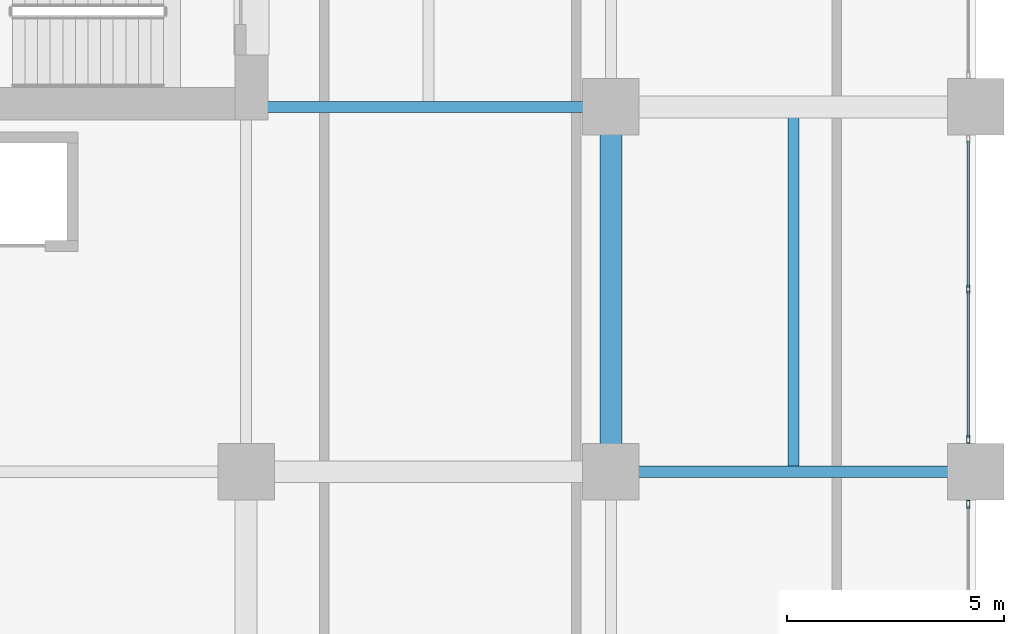
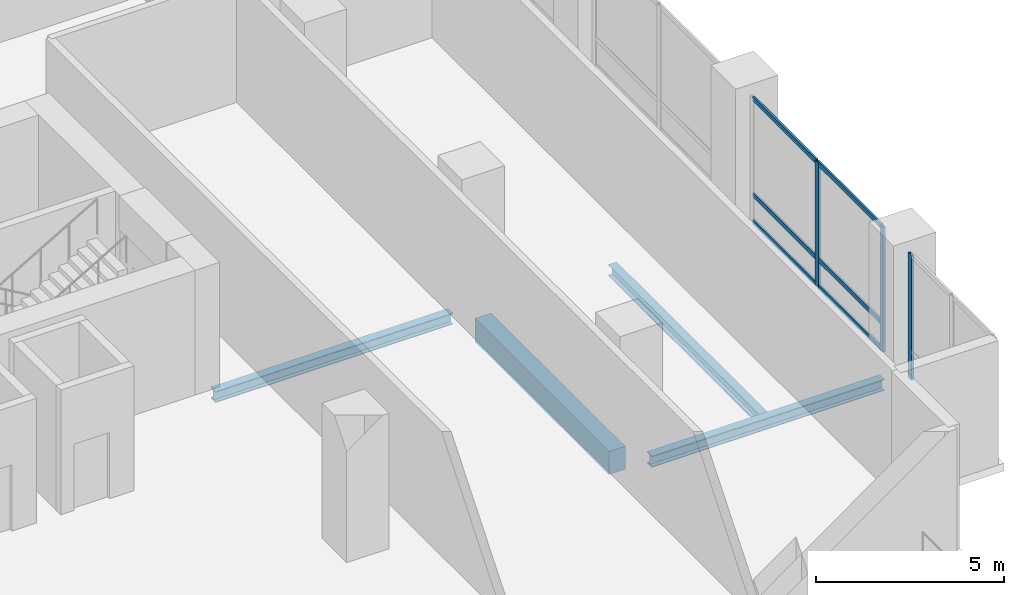
# One storey, part 4 of 24: 9 members, 4 beams, 2 elements without a shape of their own.
"""IFC4 building model written with IfcOpenShell, lengths in metres."""

import ifcopenshell
import ifcopenshell.guid

model = None  # the IFC model being written
_history = None  # IfcOwnerHistory: only IFC2X3 demands one
_inside = {}  # id of a spatial element -> (the spatial element, [elements in it])
_under = {}  # id of a project, library or spatial element -> (it, [spatial elements below it])
_declared = {}  # id of a project -> (the project, [libraries it declares])
_typed = {}  # id of a type object -> (the type object, [elements of that type])
_made_of = {}  # id of a material, layer set ... -> (it, [elements and type objects made of it])


def new_model(schema):
    """Start an empty IFC model of exactly this schema.

    Asked for "IFC4X3", IfcOpenShell would pick the latest addendum, in which some entities
    have other attributes; the version numbers below select the first issue.
    IFC2X3 requires an IfcOwnerHistory on every rooted entity: one is made here for all.
    """
    global model, _history
    if schema == "IFC4X3":
        model = ifcopenshell.file(schema_version=(4, 3, 0, 0))
    else:
        model = ifcopenshell.file(schema=schema)
    _inside.clear()
    _under.clear()
    _declared.clear()
    _typed.clear()
    _made_of.clear()
    _history = None
    if model.schema == "IFC2X3":
        org = make("IfcOrganization", Name="unknown")
        user = make(
            "IfcPersonAndOrganization",
            ThePerson=make("IfcPerson", FamilyName="unknown"),
            TheOrganization=org,
        )
        app = make(
            "IfcApplication",
            ApplicationDeveloper=org,
            Version="unknown",
            ApplicationFullName="unknown",
            ApplicationIdentifier="unknown",
        )
        _history = make(
            "IfcOwnerHistory",
            OwningUser=user,
            OwningApplication=app,
            ChangeAction="ADDED",
            CreationDate=0,
        )
    return model


def make(cls, **values):
    """One entity of the class cls with the attributes given. An attribute that is None is left unset."""
    return model.create_entity(
        cls, **{name: value for name, value in values.items() if value is not None}
    )


def rooted(cls, **values):
    """An entity with a GlobalId (a new one), such as an element, a storey or a relation."""
    return make(cls, GlobalId=ifcopenshell.guid.new(), OwnerHistory=_history, **values)


def si_unit(unit_type, name, prefix=None):
    """IfcSIUnit, for example si_unit("LENGTHUNIT", "METRE", prefix="MILLI")."""
    return make("IfcSIUnit", UnitType=unit_type, Prefix=prefix, Name=name)


def assignment(units):
    """IfcUnitAssignment: the units of a project."""
    return None if units is None else make("IfcUnitAssignment", Units=units)


def point(xyz):
    """IfcCartesianPoint."""
    return None if xyz is None else make("IfcCartesianPoint", Coordinates=xyz)


def direction(xyz):
    """IfcDirection."""
    return None if xyz is None else make("IfcDirection", DirectionRatios=xyz)


def frame(location, z_axis=None, x_axis=None):
    """IfcAxis2Placement3D, a coordinate frame: its origin and axes. An axis left out is left unset."""
    return make(
        "IfcAxis2Placement3D",
        Location=point(location),
        Axis=direction(z_axis),
        RefDirection=direction(x_axis),
    )


def frame_2d(location, x_axis=None):
    """IfcAxis2Placement2D, a coordinate frame in the plane: its origin and x axis."""
    return make(
        "IfcAxis2Placement2D", Location=point(location), RefDirection=direction(x_axis)
    )


def origin():
    """The frame at (0, 0, 0) with its axes left unset."""
    return frame((0.0, 0.0, 0.0))


def origin_2d():
    """The frame at (0, 0) in the plane with its x axis left unset."""
    return frame_2d((0.0, 0.0))


def place(relative_to, where):
    """IfcLocalPlacement: puts the frame where relative to a parent placement (None: the world)."""
    return make(
        "IfcLocalPlacement", PlacementRelTo=relative_to, RelativePlacement=where
    )


def context(
    kind, dimensions, precision=None, world=None, true_north=None, identifier=None
):
    """IfcGeometricRepresentationContext, for example the 3D "Model" context."""
    return make(
        "IfcGeometricRepresentationContext",
        ContextIdentifier=identifier,
        ContextType=kind,
        CoordinateSpaceDimension=dimensions,
        Precision=precision,
        WorldCoordinateSystem=world,
        TrueNorth=true_north,
    )


def subcontext(parent, identifier, kind, view, scale=None):
    """IfcGeometricRepresentationSubContext, for example "Body" below "Model"."""
    return make(
        "IfcGeometricRepresentationSubContext",
        ContextIdentifier=identifier,
        ContextType=kind,
        ParentContext=parent,
        TargetScale=scale,
        TargetView=view,
    )


def project(units=None, contexts=None):
    """IfcProject with its units and contexts."""
    return rooted(
        "IfcProject",
        Name="project",
        RepresentationContexts=contexts,
        UnitsInContext=assignment(units),
    )


def spatial(cls, under=None, at=None, **own):
    """A site, building, storey or space (cls), placed at a placement, below another one or the project."""
    s = rooted(cls, ObjectPlacement=at, **own)
    if under is not None:
        _under.setdefault(under.id(), (under, []))[1].append(s)
    return s


def profile(cls, at=None, kind="AREA", **sizes):
    """A parametric profile (cls). Its sizes go by their IFC names, for example OverallWidth=200.0."""
    return make(cls, ProfileType=kind, Position=at, **sizes)


def rectangle(**sizes):
    """IfcRectangleProfileDef."""
    return profile("IfcRectangleProfileDef", **sizes)


def hollow_rectangle(**sizes):
    """IfcRectangleHollowProfileDef."""
    return profile("IfcRectangleHollowProfileDef", **sizes)


def i_section(**sizes):
    """IfcIShapeProfileDef."""
    return profile("IfcIShapeProfileDef", **sizes)


def extrude(swept, where, along, depth):
    """IfcExtrudedAreaSolid: the profile swept, set in the frame where, extruded along a direction by depth."""
    return make(
        "IfcExtrudedAreaSolid",
        SweptArea=swept,
        Position=where,
        ExtrudedDirection=direction(along),
        Depth=depth,
    )


def shape(context_of_items, identifier, shape_type, items):
    """IfcShapeRepresentation: the items that make up one representation, for example the "Body"."""
    return make(
        "IfcShapeRepresentation",
        ContextOfItems=context_of_items,
        RepresentationIdentifier=identifier,
        RepresentationType=shape_type,
        Items=items,
    )


def material(Name=None, Category=None):
    """IfcMaterial."""
    return make("IfcMaterial", Name=Name, Category=Category)


def layer(
    of_material, thickness, ventilated=None, Name=None, Category=None, Priority=None
):
    """IfcMaterialLayer: one layer of a wall or slab, of a material (None: an air gap)."""
    return make(
        "IfcMaterialLayer",
        Material=of_material,
        LayerThickness=thickness,
        IsVentilated=ventilated,
        Name=Name,
        Category=Category,
        Priority=Priority,
    )


def layer_set(layers, Name=None):
    """IfcMaterialLayerSet."""
    return make("IfcMaterialLayerSet", MaterialLayers=layers, LayerSetName=Name)


def material_profile(
    of_material, cross_section, Name=None, Category=None, Priority=None
):
    """IfcMaterialProfile: a cross section and its material."""
    return make(
        "IfcMaterialProfile",
        Name=Name,
        Material=of_material,
        Profile=cross_section,
        Priority=Priority,
        Category=Category,
    )


def profile_set(profiles, Name=None, composite=None):
    """IfcMaterialProfileSet."""
    return make(
        "IfcMaterialProfileSet",
        Name=Name,
        MaterialProfiles=profiles,
        CompositeProfile=composite,
    )


def made_of(thing, what):
    """Note that an element or type object is made of a material, layer set ...; save() writes the relation."""
    if what is not None:
        _made_of.setdefault(what.id(), (what, []))[1].append(thing)
    return thing


def type_object(cls, material=None, **own):
    """A type object (cls), such as IfcWallType, which elements share."""
    return made_of(rooted(cls, **own), material)


def element(
    cls,
    number,
    at=None,
    inside=None,
    cuts=None,
    type_object=None,
    material=None,
    context=None,
    identifier="Body",
    shape_type=None,
    held_by="IfcProductDefinitionShape",
    body=None,
    shapes=None,
    **own,
):
    """One element of the class cls, such as IfcWall. Its Tag is "e" and its number.

    at: its placement. inside: the storey or other place that contains it. cuts: it is an
    opening in that element (IfcRelVoidsElement). A single representation is given by context,
    identifier, shape_type and body (its items); several are given by shapes. held_by: the class
    of the entity that holds the representations. save() writes the other relations.
    """
    e = rooted(cls, Tag="e%d" % number, ObjectPlacement=at, **own)
    if body is not None:
        shapes = [shape(context, identifier, shape_type, body)]
    if shapes is not None:
        e.Representation = make(held_by, Representations=shapes)
    if inside is not None:
        _inside.setdefault(inside.id(), (inside, []))[1].append(e)
    if cuts is not None:
        rooted(
            "IfcRelVoidsElement", RelatingBuildingElement=cuts, RelatedOpeningElement=e
        )
    if type_object is not None:
        _typed.setdefault(type_object.id(), (type_object, []))[1].append(e)
    return made_of(e, material)


def aggregate(whole, parts):
    """IfcRelAggregates: a whole, such as a stair, and the parts it consists of."""
    return rooted("IfcRelAggregates", RelatingObject=whole, RelatedObjects=parts)


def save(model, path):
    """Write the relations noted so far, then the file.

    IfcRelAggregates (storeys below a building ...), IfcRelContainedInSpatialStructure (elements
    in a storey), IfcRelDefinesByType, IfcRelAssociatesMaterial and IfcRelDeclares: one each for
    every whole, place, type object, material and project.
    """
    for whole, parts in _under.values():
        aggregate(whole, parts)
    for where, things in _inside.values():
        rooted(
            "IfcRelContainedInSpatialStructure",
            RelatedElements=things,
            RelatingStructure=where,
        )
    for kind, things in _typed.values():
        rooted("IfcRelDefinesByType", RelatedObjects=things, RelatingType=kind)
    for what, things in _made_of.values():
        rooted("IfcRelAssociatesMaterial", RelatedObjects=things, RelatingMaterial=what)
    for by, libraries in _declared.values():
        rooted("IfcRelDeclares", RelatingContext=by, RelatedDefinitions=libraries)
    model.write(path)


model = new_model("IFC4")

# Units and contexts
model_context = context("Model", 3, precision=1e-05, world=origin(), true_north=direction((0.0, 1.0)))
body_context = subcontext(model_context, "Body", "Model", "MODEL_VIEW")
ifc_project = project(units=[si_unit("LENGTHUNIT", "METRE"), si_unit("AREAUNIT", "SQUARE_METRE"), si_unit("VOLUMEUNIT", "CUBIC_METRE"), si_unit("PLANEANGLEUNIT", "RADIAN"), si_unit("MASSUNIT", "GRAM", prefix="KILO")], contexts=[model_context])

# Site, building, storey
site_placement = place(None, origin())
site = spatial("IfcSite", under=ifc_project, at=site_placement, CompositionType="ELEMENT")
building_placement = place(site_placement, origin())
building = spatial("IfcBuilding", under=site, at=building_placement, Name="Koriwani Terraces Tower", CompositionType="ELEMENT")
storey_placement = place(building_placement, frame((0.0, 0.0, 89.60009765625)))
storey = spatial("IfcBuildingStorey", under=building, at=storey_placement, Name="L21", CompositionType="ELEMENT", Elevation=89.60009765625)

# Beam
ifc_material_1 = material(Name="Concrete C50/60", Category="concrete")
ifc_material_profile_1 = material_profile(ifc_material_1, rectangle(XDim=0.5, YDim=0.75, at=origin_2d()), Name="Concrete C50/60", Category="LoadBearing")
ifc_profile_set_1 = profile_set([ifc_material_profile_1], Name="Concrete C50/60")
beam_type_1 = type_object("IfcBeamType", Name="BEAM_RC_GRID_500X750", PredefinedType="BEAM", material=ifc_profile_set_1)
beam_1_placement = place(storey_placement, frame((67.199951171875, 9.030029296875, -0.625), z_axis=(0.0, 1.0, 0.0), x_axis=(-1.0, 0.0, 0.0)))
element("IfcBeam", 1, at=beam_1_placement, inside=storey, type_object=beam_type_1, Name="L21 Grid Beam 9 (8.4-16.8m)", PredefinedType="BEAM", context=body_context, shape_type="SweptSolid", body=[
    extrude(rectangle(XDim=0.5, YDim=0.75, at=origin_2d()), origin(), (0.0, 0.0, 1.0), 7.139892578125),
])

# Curtain wall, members
ifc_material_2 = material(Name="Anodised Bronze Aluminium", Category="aluminium")
ifc_layer = layer(ifc_material_2, 0.179931640625, Name="Anodised Bronze Aluminium")
ifc_layer_set = layer_set([ifc_layer], Name="Anodised Bronze Aluminium")
curtain_wall_type = type_object("IfcCurtainWallType", Name="CW_HOTEL_ZONE2", PredefinedType="NOTDEFINED", material=ifc_layer_set)
curtain_wall_1_placement = place(storey_placement, origin())
curtain_wall_1 = element("IfcCurtainWall", 2, at=curtain_wall_1_placement, inside=storey, type_object=curtain_wall_type, Name="L21 Unitised Curtain Wall (E_TIP) Bay 3", PredefinedType="NOTDEFINED")
ifc_material_profile_2 = material_profile(ifc_material_2, hollow_rectangle(XDim=0.074951171875, YDim=0.179931640625, WallThickness=0.006103515625, at=origin_2d()), Name="Anodised Bronze Aluminium", Category="LoadBearing")
ifc_profile_set_2 = profile_set([ifc_material_profile_2], Name="Anodised Bronze Aluminium")
member_type_1 = type_object("IfcMemberType", Name="CW_MULLION_180X75", PredefinedType="MULLION", material=ifc_profile_set_2)
member_1_placement = place(storey_placement, frame((75.425048828125, 12.60009765625, 0.0), z_axis=(0.0, 0.0, 1.0), x_axis=(1.0, 0.0, 0.0)))
member_1 = element("IfcMember", 3, at=member_1_placement, type_object=member_type_1, Name="CW-Z2 mullion 2", PredefinedType="MULLION", context=body_context, shape_type="SweptSolid", body=[
    extrude(hollow_rectangle(XDim=0.074951171875, YDim=0.179931640625, WallThickness=0.006103515625, at=origin_2d()), origin(), (0.0, 0.0, 1.0), 4.0498046875),
])
member_2_placement = place(storey_placement, frame((75.425048828125, 9.1474609375, 0.0), z_axis=(0.0, 0.0, 1.0), x_axis=(1.0, 0.0, 0.0)))
member_2 = element("IfcMember", 4, at=member_2_placement, type_object=member_type_1, Name="CW-Z2 mullion 3", PredefinedType="MULLION", context=body_context, shape_type="SweptSolid", body=[
    extrude(hollow_rectangle(XDim=0.074951171875, YDim=0.179931640625, WallThickness=0.006103515625, at=origin_2d()), origin(), (0.0, 0.0, 1.0), 4.0498046875),
])

# Curtain wall, member
curtain_wall_2_placement = place(storey_placement, origin())
curtain_wall_2 = element("IfcCurtainWall", 5, at=curtain_wall_2_placement, inside=storey, type_object=curtain_wall_type, Name="L21 Unitised Curtain Wall (E_TIP) Bay 4", PredefinedType="NOTDEFINED")
member_3_placement = place(storey_placement, frame((75.425048828125, 7.652587890625, 0.0), z_axis=(0.0, 0.0, 1.0), x_axis=(1.0, 0.0, 0.0)))
member_3 = element("IfcMember", 6, at=member_3_placement, type_object=member_type_1, Name="CW-Z2 mullion 1", PredefinedType="MULLION", context=body_context, shape_type="SweptSolid", body=[
    extrude(hollow_rectangle(XDim=0.074951171875, YDim=0.179931640625, WallThickness=0.006103515625, at=origin_2d()), origin(), (0.0, 0.0, 1.0), 4.0498046875),
])
aggregate(curtain_wall_2, [member_3])

# Member
ifc_material_profile_3 = material_profile(ifc_material_2, hollow_rectangle(XDim=0.06494140625, YDim=0.14990234375, WallThickness=0.0048828125, at=origin_2d()), Name="Anodised Bronze Aluminium", Category="LoadBearing")
ifc_profile_set_3 = profile_set([ifc_material_profile_3], Name="Anodised Bronze Aluminium")
member_type_2 = type_object("IfcMemberType", Name="CW_TRANSOM_150X65", PredefinedType="USERDEFINED", material=ifc_profile_set_3)
member_4_placement = place(storey_placement, frame((75.425048828125, 16.014892578125, 0.032470703125), z_axis=(0.0, -1.0, 0.0), x_axis=(1.0, 0.0, 0.0)))
member_4 = element("IfcMember", 7, at=member_4_placement, type_object=member_type_2, Name="CW-Z2 transom 1.1", ObjectType="TRANSOM", PredefinedType="USERDEFINED", context=body_context, shape_type="SweptSolid", body=[
    extrude(hollow_rectangle(XDim=0.06494140625, YDim=0.14990234375, WallThickness=0.0048828125, at=origin_2d()), origin(), (0.0, 0.0, 1.0), 3.37744140625),
])

member_5_placement = place(storey_placement, frame((75.425048828125, 16.014892578125, 0.89990234375), z_axis=(0.0, -1.0, 0.0), x_axis=(1.0, 0.0, 0.0)))
member_5 = element("IfcMember", 8, at=member_5_placement, type_object=member_type_2, Name="CW-Z2 transom 1.2", ObjectType="TRANSOM", PredefinedType="USERDEFINED", context=body_context, shape_type="SweptSolid", body=[
    extrude(hollow_rectangle(XDim=0.06494140625, YDim=0.14990234375, WallThickness=0.0048828125, at=origin_2d()), origin(), (0.0, 0.0, 1.0), 3.37744140625),
])

member_6_placement = place(storey_placement, frame((75.425048828125, 16.014892578125, 4.017333984375), z_axis=(0.0, -1.0, 0.0), x_axis=(1.0, 0.0, 0.0)))
member_6 = element("IfcMember", 9, at=member_6_placement, type_object=member_type_2, Name="CW-Z2 transom 1.3", ObjectType="TRANSOM", PredefinedType="USERDEFINED", context=body_context, shape_type="SweptSolid", body=[
    extrude(hollow_rectangle(XDim=0.06494140625, YDim=0.14990234375, WallThickness=0.0048828125, at=origin_2d()), origin(), (0.0, 0.0, 1.0), 3.37744140625),
])

member_7_placement = place(storey_placement, frame((75.425048828125, 12.5625, 0.032470703125), z_axis=(0.0, -1.0, 0.0), x_axis=(1.0, 0.0, 0.0)))
member_7 = element("IfcMember", 10, at=member_7_placement, type_object=member_type_2, Name="CW-Z2 transom 2.1", ObjectType="TRANSOM", PredefinedType="USERDEFINED", context=body_context, shape_type="SweptSolid", body=[
    extrude(hollow_rectangle(XDim=0.06494140625, YDim=0.14990234375, WallThickness=0.0048828125, at=origin_2d()), origin(), (0.0, 0.0, 1.0), 3.37744140625),
])

member_8_placement = place(storey_placement, frame((75.425048828125, 12.5625, 0.89990234375), z_axis=(0.0, -1.0, 0.0), x_axis=(1.0, 0.0, 0.0)))
member_8 = element("IfcMember", 11, at=member_8_placement, type_object=member_type_2, Name="CW-Z2 transom 2.2", ObjectType="TRANSOM", PredefinedType="USERDEFINED", context=body_context, shape_type="SweptSolid", body=[
    extrude(hollow_rectangle(XDim=0.06494140625, YDim=0.14990234375, WallThickness=0.0048828125, at=origin_2d()), origin(), (0.0, 0.0, 1.0), 3.37744140625),
])

member_9_placement = place(storey_placement, frame((75.425048828125, 12.5625, 4.017333984375), z_axis=(0.0, -1.0, 0.0), x_axis=(1.0, 0.0, 0.0)))
member_9 = element("IfcMember", 12, at=member_9_placement, type_object=member_type_2, Name="CW-Z2 transom 2.3", ObjectType="TRANSOM", PredefinedType="USERDEFINED", context=body_context, shape_type="SweptSolid", body=[
    extrude(hollow_rectangle(XDim=0.06494140625, YDim=0.14990234375, WallThickness=0.0048828125, at=origin_2d()), origin(), (0.0, 0.0, 1.0), 3.37744140625),
])

aggregate(curtain_wall_1, [member_1, member_2, member_4, member_5, member_6, member_7, member_8, member_9])

# Beams
ifc_material_3 = material(Name="Steel ASTM A572 Grade 50", Category="steel")
ifc_material_profile_4 = material_profile(ifc_material_3, i_section(OverallWidth=0.257080078125, OverallDepth=0.363037109375, WebThickness=0.012939453125, FlangeThickness=0.021728515625, at=origin_2d()), Name="Steel ASTM A572 Grade 50", Category="LoadBearing")
ifc_profile_set_4 = profile_set([ifc_material_profile_4], Name="Steel ASTM A572 Grade 50")
beam_type_2 = type_object("IfcBeamType", Name="STEEL_BEAM_W360X122", PredefinedType="JOIST", material=ifc_profile_set_4)
beam_2_placement = place(storey_placement, frame((67.830078125, 8.39990234375, -0.431640625), z_axis=(1.0, 0.0, 0.0), x_axis=(0.0, 1.0, 0.0)))
element("IfcBeam", 13, at=beam_2_placement, inside=storey, type_object=beam_type_2, Name="L21 Grid Beam B (67.2-75.6m)", PredefinedType="JOIST", context=body_context, shape_type="SweptSolid", body=[
    extrude(i_section(OverallWidth=0.257080078125, OverallDepth=0.363037109375, WebThickness=0.012939453125, FlangeThickness=0.021728515625, at=origin_2d()), origin(), (0.0, 0.0, 1.0), 7.139892578125),
])
beam_3_placement = place(storey_placement, frame((59.280029296875, 16.800048828125, -0.431640625), z_axis=(1.0, 0.0, 0.0), x_axis=(0.0, 1.0, 0.0)))
element("IfcBeam", 14, at=beam_3_placement, inside=storey, type_object=beam_type_2, Name="L21 Grid Beam C (58.8-67.2m)", PredefinedType="JOIST", context=body_context, shape_type="SweptSolid", body=[
    extrude(i_section(OverallWidth=0.257080078125, OverallDepth=0.363037109375, WebThickness=0.012939453125, FlangeThickness=0.021728515625, at=origin_2d()), origin(), (0.0, 0.0, 1.0), 7.2900390625),
])
beam_4_placement = place(storey_placement, frame((71.39990234375, 8.5185546875, -0.431640625), z_axis=(0.0, 1.0, 0.0), x_axis=(-1.0, 0.0, 0.0)))
element("IfcBeam", 15, at=beam_4_placement, inside=storey, type_object=beam_type_2, Name="L21 Secondary Steel Floor Joist X=71.4m", PredefinedType="JOIST", context=body_context, shape_type="SweptSolid", body=[
    extrude(i_section(OverallWidth=0.257080078125, OverallDepth=0.363037109375, WebThickness=0.012939453125, FlangeThickness=0.021728515625, at=origin_2d()), origin(), (0.0, 0.0, 1.0), 8.04150390625),
])

save(model, "model.ifc")
